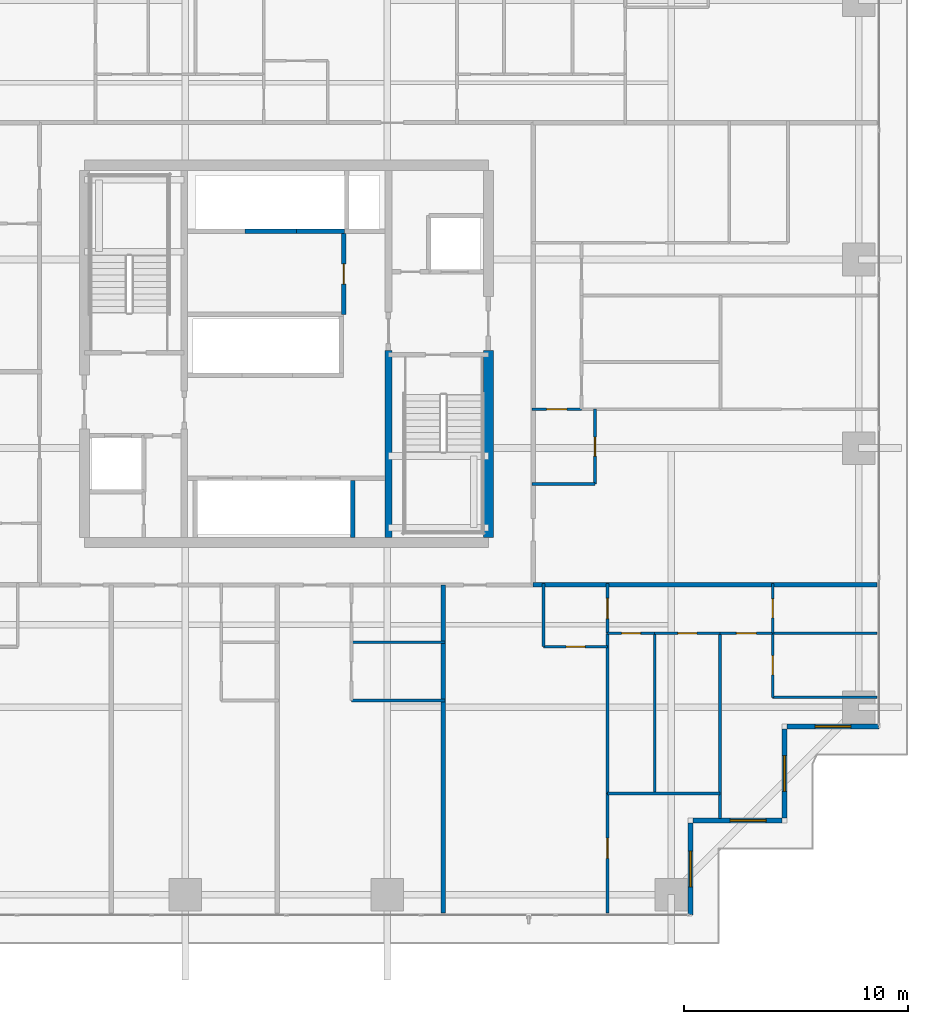
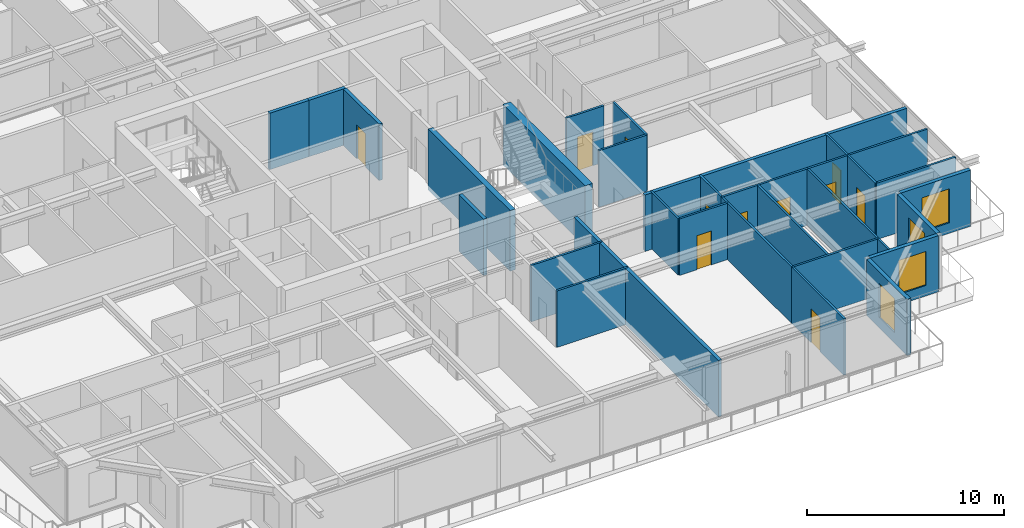
# One storey, part 25 of 36: 32 walls, 11 doors, 4 windows, 15 openings.
"""IFC4 building model written with IfcOpenShell, lengths in metres."""

from ifc_helpers import new_model, si_unit, direction, frame, frame_2d, origin, place, context, subcontext, project, spatial, rectangle, extrude, source, transform, mapped, material, layer, layer_set, type_object, element, fill, save


model = new_model("IFC4")

# Units and contexts
model_context = context("Model", 3, precision=1e-05, world=origin(), true_north=direction((0.0, 1.0)))
body_context = subcontext(model_context, "Body", "Model", "MODEL_VIEW")
ifc_project = project(units=[si_unit("LENGTHUNIT", "METRE"), si_unit("AREAUNIT", "SQUARE_METRE"), si_unit("VOLUMEUNIT", "CUBIC_METRE"), si_unit("PLANEANGLEUNIT", "RADIAN"), si_unit("MASSUNIT", "GRAM", prefix="KILO")], contexts=[model_context])

# Site, building, storey
site_placement = place(None, origin())
site = spatial("IfcSite", under=ifc_project, at=site_placement, CompositionType="ELEMENT")
building_placement = place(site_placement, origin())
building = spatial("IfcBuilding", under=site, at=building_placement, Name="Serunith Strait Residences", CompositionType="ELEMENT")
storey_placement = place(building_placement, frame((0.0, 0.0, 86.699951171875)))
storey = spatial("IfcBuildingStorey", under=building, at=storey_placement, Name="L21", CompositionType="ELEMENT", Elevation=86.699951171875)

# Wall, opening, window
ifc_material_1 = material(Name="Pale-Champagne Aluminium Insulated Panel", Category="aluminium")
ifc_layer_1 = layer(ifc_material_1, 0.219970703125, Name="Pale-Champagne Aluminium Insulated Panel")
ifc_layer_set_1 = layer_set([ifc_layer_1], Name="Pale-Champagne Aluminium Insulated Panel")
wall_type_1 = type_object("IfcWallType", Name="EW-ALUM-220", PredefinedType="ELEMENTEDWALL", material=ifc_layer_set_1)
wall_1_placement = place(storey_placement, frame((50.39990234375, 0.199951171875, 0.0), z_axis=(0.0, 0.0, 1.0), x_axis=(0.0, 1.0, 0.0)))
wall_1 = element("IfcWall", 1, at=wall_1_placement, inside=storey, type_object=wall_type_1, Name="L21 Girih Serrated Corner Wall 02", PredefinedType="ELEMENTEDWALL", context=body_context, shape_type="SweptSolid", body=[
    extrude(rectangle(XDim=4.090087890625, YDim=0.219970703125, at=frame_2d((2.044921875, 0.0))), origin(), (0.0, 0.0, 1.0), 3.47509765625),
])
opening_1_placement = place(wall_1_placement, frame((1.2451171875, 0.0, 0.64990234375)))
opening_1 = element("IfcOpeningElement", 2, at=opening_1_placement, cuts=wall_1, Name="Opening W-02", PredefinedType="OPENING", context=body_context, shape_type="SweptSolid", body=[
    extrude(rectangle(XDim=1.60009765625, YDim=2.10009765625, at=frame_2d((0.800048828125, 1.050048828125))), frame((0.0, 0.1201171875, 0.0), z_axis=(0.0, -1.0, 0.0), x_axis=(1.0, 0.0, 0.0)), (0.0, 0.0, 1.0), 0.239990234375),
])
ifc_material_2 = material(Name="Ceramic-Fritted Operable Aluminium Window Glass", Category="aluminium")
window_type = type_object("IfcWindowType", Name="WIN-C2", PartitioningType="DOUBLE_PANEL_VERTICAL", PredefinedType="WINDOW", material=ifc_material_2)
shared_shape_1 = source(origin(), body_context, "Body", "SweptSolid", [
    extrude(rectangle(XDim=1.60009765625, YDim=2.10009765625, at=frame_2d((0.800048828125, 1.050048828125))), frame((0.0, 0.030029296875, 0.0), z_axis=(0.0, -1.0, 0.0), x_axis=(1.0, 0.0, 0.0)), (0.0, 0.0, 1.0), 0.06005859375),
])
window_1_placement = place(opening_1_placement, origin())
window_1 = element("IfcWindow", 3, at=window_1_placement, inside=storey, type_object=window_type, Name="L21 Corner Operable Fritted Window 02", OverallHeight=2.10009765625, OverallWidth=1.60009765625, PartitioningType="SINGLE_PANEL", PredefinedType="WINDOW", context=body_context, shape_type="MappedRepresentation", body=[
    mapped(shared_shape_1, transform((0.0, 0.0, 0.0), scale=1.0)),
])
fill(opening_1, window_1)

wall_2_placement = place(storey_placement, frame((50.510009765625, 4.39990234375, 0.0), z_axis=(0.0, 0.0, 1.0), x_axis=(1.0, 0.0, 0.0)))
wall_2 = element("IfcWall", 4, at=wall_2_placement, inside=storey, type_object=wall_type_1, Name="L21 Girih Serrated Corner Wall 03", PredefinedType="ELEMENTEDWALL", context=body_context, shape_type="SweptSolid", body=[
    extrude(rectangle(XDim=3.97998046875, YDim=0.219970703125, at=frame_2d((1.989990234375, 0.0))), origin(), (0.0, 0.0, 1.0), 3.47509765625),
])
opening_2_placement = place(wall_2_placement, frame((1.666015625, 0.0, 0.64990234375)))
opening_2 = element("IfcOpeningElement", 5, at=opening_2_placement, cuts=wall_2, Name="Opening W-02", PredefinedType="OPENING", context=body_context, shape_type="SweptSolid", body=[
    extrude(rectangle(XDim=1.60009765625, YDim=2.10009765625, at=frame_2d((0.800048828125, 1.050048828125))), frame((0.0, 0.1201171875, 0.0), z_axis=(0.0, -1.0, 0.0), x_axis=(1.0, 0.0, 0.0)), (0.0, 0.0, 1.0), 0.239990234375),
])
window_2_placement = place(opening_2_placement, origin())
window_2 = element("IfcWindow", 6, at=window_2_placement, inside=storey, type_object=window_type, Name="L21 Corner Operable Fritted Window 03", OverallHeight=2.10009765625, OverallWidth=1.60009765625, PartitioningType="SINGLE_PANEL", PredefinedType="WINDOW", context=body_context, shape_type="MappedRepresentation", body=[
    mapped(shared_shape_1, transform((0.0, 0.0, 0.0), scale=1.0)),
])
fill(opening_2, window_2)

wall_3_placement = place(storey_placement, frame((54.60009765625, 4.510009765625, 0.0), z_axis=(0.0, 0.0, 1.0), x_axis=(0.0, 1.0, 0.0)))
wall_3 = element("IfcWall", 7, at=wall_3_placement, inside=storey, type_object=wall_type_1, Name="L21 Girih Serrated Corner Wall 04", PredefinedType="ELEMENTEDWALL", context=body_context, shape_type="SweptSolid", body=[
    extrude(rectangle(XDim=3.97998046875, YDim=0.219970703125, at=frame_2d((1.989990234375, 0.0))), origin(), (0.0, 0.0, 1.0), 3.47509765625),
])
opening_3_placement = place(wall_3_placement, frame((1.18994140625, 0.0, 0.64990234375)))
opening_3 = element("IfcOpeningElement", 8, at=opening_3_placement, cuts=wall_3, Name="Opening W-02", PredefinedType="OPENING", context=body_context, shape_type="SweptSolid", body=[
    extrude(rectangle(XDim=1.60009765625, YDim=2.10009765625, at=frame_2d((0.800048828125, 1.050048828125))), frame((0.0, 0.1201171875, 0.0), z_axis=(0.0, -1.0, 0.0), x_axis=(1.0, 0.0, 0.0)), (0.0, 0.0, 1.0), 0.239990234375),
])
window_3_placement = place(opening_3_placement, origin())
window_3 = element("IfcWindow", 9, at=window_3_placement, inside=storey, type_object=window_type, Name="L21 Corner Operable Fritted Window 04", OverallHeight=2.10009765625, OverallWidth=1.60009765625, PartitioningType="SINGLE_PANEL", PredefinedType="WINDOW", context=body_context, shape_type="MappedRepresentation", body=[
    mapped(shared_shape_1, transform((0.0, 0.0, 0.0), scale=1.0)),
])
fill(opening_3, window_3)

wall_4_placement = place(storey_placement, frame((54.7099609375, 8.60009765625, 0.0), z_axis=(0.0, 0.0, 1.0), x_axis=(1.0, 0.0, 0.0)))
wall_4 = element("IfcWall", 10, at=wall_4_placement, inside=storey, type_object=wall_type_1, Name="L21 Girih Serrated Corner Wall 05", PredefinedType="ELEMENTEDWALL", context=body_context, shape_type="SweptSolid", body=[
    extrude(rectangle(XDim=4.090087890625, YDim=0.219970703125, at=frame_2d((2.044921875, 0.0))), origin(), (0.0, 0.0, 1.0), 3.47509765625),
])
opening_4_placement = place(wall_4_placement, frame((1.2451171875, 0.0, 0.64990234375)))
opening_4 = element("IfcOpeningElement", 11, at=opening_4_placement, cuts=wall_4, Name="Opening W-02", PredefinedType="OPENING", context=body_context, shape_type="SweptSolid", body=[
    extrude(rectangle(XDim=1.60009765625, YDim=2.10009765625, at=frame_2d((0.800048828125, 1.050048828125))), frame((0.0, 0.1201171875, 0.0), z_axis=(0.0, -1.0, 0.0), x_axis=(1.0, 0.0, 0.0)), (0.0, 0.0, 1.0), 0.239990234375),
])
window_4_placement = place(opening_4_placement, origin())
window_4 = element("IfcWindow", 12, at=window_4_placement, inside=storey, type_object=window_type, Name="L21 Corner Operable Fritted Window 05", OverallHeight=2.10009765625, OverallWidth=1.60009765625, PartitioningType="SINGLE_PANEL", PredefinedType="WINDOW", context=body_context, shape_type="MappedRepresentation", body=[
    mapped(shared_shape_1, transform((0.0, 0.0, 0.0), scale=1.0)),
])
fill(opening_4, window_4)

# Walls
ifc_material_3 = material(Name="Lightweight steel-stud gypsum partition", Category="steel")
ifc_layer_2 = layer(ifc_material_3, 0.1201171875, Name="Lightweight steel-stud gypsum partition")
ifc_layer_set_2 = layer_set([ifc_layer_2], Name="Lightweight steel-stud gypsum partition")
wall_type_2 = type_object("IfcWallType", Name="IW-PART-120", PredefinedType="PARTITIONING", material=ifc_layer_set_2)
for number, where, z_axis, x_axis, name in (
    (13, (35.300048828125, 12.35009765625, 0.0), (0.0, 0.0, 1.0), (1.0, 0.0, 0.0), "L21 Partition Wall 047"),
    (14, (35.300048828125, 9.75, 0.0), (0.0, 0.0, 1.0), (1.0, 0.0, 0.0), "L21 Partition Wall 048"),
):
    element("IfcWall", number, at=place(storey_placement, frame(where, z_axis=z_axis, x_axis=x_axis)), inside=storey, type_object=wall_type_2, Name=name, PredefinedType="PARTITIONING", context=body_context, shape_type="SweptSolid", body=[
        extrude(rectangle(XDim=4.159912109375, YDim=0.1201171875, at=frame_2d((2.080078125, 0.0))), origin(), (0.0, 0.0, 1.0), 3.489990234375),
    ])

# Wall, opening, door
wall_5_placement = place(storey_placement, frame((43.860107421875, 12.14990234375, 0.0), z_axis=(0.0, 0.0, 1.0), x_axis=(1.0, 0.0, 0.0)))
wall_5 = element("IfcWall", 15, at=wall_5_placement, inside=storey, type_object=wall_type_2, Name="L21 Partition Wall 049", PredefinedType="PARTITIONING", context=body_context, shape_type="SweptSolid", body=[
    extrude(rectangle(XDim=2.849853515625, YDim=0.1201171875, at=frame_2d((1.4248046875, 0.0))), origin(), (0.0, 0.0, 1.0), 3.489990234375),
])
opening_5_placement = place(wall_5_placement, frame((1.0, 0.0, 0.0)))
opening_5 = element("IfcOpeningElement", 16, at=opening_5_placement, cuts=wall_5, Name="Opening D-RM850", PredefinedType="OPENING", context=body_context, shape_type="SweptSolid", body=[
    extrude(rectangle(XDim=0.85009765625, YDim=2.10009765625, at=frame_2d((0.425048828125, 1.050048828125))), frame((0.0, 0.070068359375, 0.0), z_axis=(0.0, -1.0, 0.0), x_axis=(1.0, 0.0, 0.0)), (0.0, 0.0, 1.0), 0.14013671875),
])
ifc_material_4 = material(Name="Engineered timber flush study and kitchen door", Category="wood")
door_type_1 = type_object("IfcDoorType", Name="ID-ROOM-850", OperationType="NOTDEFINED", PredefinedType="DOOR", material=ifc_material_4)
shared_shape_2 = source(origin(), body_context, "Body", "SweptSolid", [
    extrude(rectangle(XDim=0.85009765625, YDim=2.10009765625, at=frame_2d((0.425048828125, 1.050048828125))), frame((0.0, 0.02490234375, 0.0), z_axis=(0.0, -1.0, 0.0), x_axis=(1.0, 0.0, 0.0)), (0.0, 0.0, 1.0), 0.050048828125),
])
door_1_placement = place(opening_5_placement, origin())
door_1 = element("IfcDoor", 17, at=door_1_placement, inside=storey, type_object=door_type_1, Name="L21 Kitchen 2104 Door", OperationType="SINGLE_SWING_LEFT", OverallHeight=2.10009765625, OverallWidth=0.85009765625, PredefinedType="DOOR", context=body_context, shape_type="MappedRepresentation", body=[
    mapped(shared_shape_2, transform((0.0, 0.0, 0.0), scale=1.0)),
])
fill(opening_5, door_1)

# Wall
wall_6_placement = place(storey_placement, frame((43.860107421875, 12.14990234375, 0.0), z_axis=(0.0, 0.0, 1.0), x_axis=(0.0, 1.0, 0.0)))
element("IfcWall", 18, at=wall_6_placement, inside=storey, type_object=wall_type_2, Name="L21 Partition Wall 050", PredefinedType="PARTITIONING", context=body_context, shape_type="SweptSolid", body=[
    extrude(rectangle(XDim=2.81005859375, YDim=0.1201171875, at=frame_2d((1.405029296875, 0.0))), origin(), (0.0, 0.0, 1.0), 3.489990234375),
])

# Wall, opening, door
wall_7_placement = place(storey_placement, frame((46.7099609375, 12.75, 0.0), z_axis=(0.0, 0.0, 1.0), x_axis=(0.0, 1.0, 0.0)))
wall_7 = element("IfcWall", 19, at=wall_7_placement, inside=storey, type_object=wall_type_2, Name="L21 Partition Wall 051", PredefinedType="PARTITIONING", context=body_context, shape_type="SweptSolid", body=[
    extrude(rectangle(XDim=2.2099609375, YDim=0.1201171875, at=frame_2d((1.10498046875, 0.0))), origin(), (0.0, 0.0, 1.0), 3.489990234375),
])
opening_6_placement = place(wall_7_placement, frame((0.655029296875, 0.0, 0.0)))
opening_6 = element("IfcOpeningElement", 20, at=opening_6_placement, cuts=wall_7, Name="Opening D-RM900", PredefinedType="OPENING", context=body_context, shape_type="SweptSolid", body=[
    extrude(rectangle(XDim=0.89990234375, YDim=2.10009765625, at=frame_2d((0.449951171875, 1.050048828125))), frame((0.0, 0.070068359375, 0.0), z_axis=(0.0, -1.0, 0.0), x_axis=(1.0, 0.0, 0.0)), (0.0, 0.0, 1.0), 0.14013671875),
])
ifc_material_5 = material(Name="Engineered timber flush bedroom door", Category="wood")
door_type_2 = type_object("IfcDoorType", Name="ID-ROOM-900", OperationType="NOTDEFINED", PredefinedType="DOOR", material=ifc_material_5)
shared_shape_3 = source(origin(), body_context, "Body", "SweptSolid", [
    extrude(rectangle(XDim=0.89990234375, YDim=2.10009765625, at=frame_2d((0.449951171875, 1.050048828125))), frame((0.0, 0.02490234375, 0.0), z_axis=(0.0, -1.0, 0.0), x_axis=(1.0, 0.0, 0.0)), (0.0, 0.0, 1.0), 0.050048828125),
])
door_2_placement = place(opening_6_placement, origin())
door_2 = element("IfcDoor", 21, at=door_2_placement, inside=storey, type_object=door_type_2, Name="L21 Hall E 2104 Door", OperationType="SINGLE_SWING_RIGHT", OverallHeight=2.10009765625, OverallWidth=0.89990234375, PredefinedType="DOOR", context=body_context, shape_type="MappedRepresentation", body=[
    mapped(shared_shape_3, transform((0.0, 0.0, 0.0), scale=1.0)),
])
fill(opening_6, door_2)

wall_8_placement = place(storey_placement, frame((46.7099609375, 0.294921875, 0.0), z_axis=(0.0, 0.0, 1.0), x_axis=(0.0, 1.0, 0.0)))
wall_8 = element("IfcWall", 22, at=wall_8_placement, inside=storey, type_object=wall_type_2, Name="L21 Partition Wall 052", PredefinedType="PARTITIONING", context=body_context, shape_type="SweptSolid", body=[
    extrude(rectangle(XDim=5.31005859375, YDim=0.1201171875, at=frame_2d((2.655029296875, 0.0))), origin(), (0.0, 0.0, 1.0), 3.489990234375),
])
opening_7_placement = place(wall_8_placement, frame((2.426025390625, 0.0, 0.0)))
opening_7 = element("IfcOpeningElement", 23, at=opening_7_placement, cuts=wall_8, Name="Opening D-RM900", PredefinedType="OPENING", context=body_context, shape_type="SweptSolid", body=[
    extrude(rectangle(XDim=0.89990234375, YDim=2.10009765625, at=frame_2d((0.449951171875, 1.050048828125))), frame((0.0, 0.070068359375, 0.0), z_axis=(0.0, -1.0, 0.0), x_axis=(1.0, 0.0, 0.0)), (0.0, 0.0, 1.0), 0.14013671875),
])
door_3_placement = place(opening_7_placement, origin())
door_3 = element("IfcDoor", 24, at=door_3_placement, inside=storey, type_object=door_type_2, Name="L21 Study 1 2104 Door", OperationType="SINGLE_SWING_LEFT", OverallHeight=2.10009765625, OverallWidth=0.89990234375, PredefinedType="DOOR", context=body_context, shape_type="MappedRepresentation", body=[
    mapped(shared_shape_3, transform((0.0, 0.0, 0.0), scale=1.0)),
])
fill(opening_7, door_3)

# Walls
wall_9_placement = place(storey_placement, frame((46.7099609375, 5.60693359375, 0.0), z_axis=(0.0, 0.0, 1.0), x_axis=(0.0, 1.0, 0.0)))
element("IfcWall", 25, at=wall_9_placement, inside=storey, type_object=wall_type_2, Name="L21 Partition Wall 053", PredefinedType="PARTITIONING", context=body_context, shape_type="SweptSolid", body=[
    extrude(rectangle(XDim=7.14111328125, YDim=0.1201171875, at=frame_2d((3.570556640625, 0.0))), origin(), (0.0, 0.0, 1.0), 3.489990234375),
])
wall_10_placement = place(storey_placement, frame((46.7099609375, 5.60498046875, 0.0), z_axis=(0.0, 0.0, 1.0), x_axis=(1.0, 0.0, 0.0)))
element("IfcWall", 26, at=wall_10_placement, inside=storey, type_object=wall_type_2, Name="L21 Partition Wall 054", PredefinedType="PARTITIONING", context=body_context, shape_type="SweptSolid", body=[
    extrude(rectangle(XDim=5.010009765625, YDim=0.1201171875, at=frame_2d((2.5048828125, 0.0))), origin(), (0.0, 0.0, 1.0), 3.489990234375),
])
wall_11_placement = place(storey_placement, frame((51.719970703125, 4.4951171875, 0.0), z_axis=(0.0, 0.0, 1.0), x_axis=(0.0, 1.0, 0.0)))
element("IfcWall", 27, at=wall_11_placement, inside=storey, type_object=wall_type_2, Name="L21 Partition Wall 055", PredefinedType="PARTITIONING", context=body_context, shape_type="SweptSolid", body=[
    extrude(rectangle(XDim=8.2548828125, YDim=0.1201171875, at=frame_2d((4.12744140625, 0.0))), origin(), (0.0, 0.0, 1.0), 3.489990234375),
])
wall_12_placement = place(storey_placement, frame((48.81005859375, 5.60498046875, 0.0), z_axis=(0.0, 0.0, 1.0), x_axis=(0.0, 1.0, 0.0)))
element("IfcWall", 28, at=wall_12_placement, inside=storey, type_object=wall_type_2, Name="L21 Partition Wall 056", PredefinedType="PARTITIONING", context=body_context, shape_type="SweptSolid", body=[
    extrude(rectangle(XDim=7.14501953125, YDim=0.1201171875, at=frame_2d((3.572509765625, 0.0))), origin(), (0.0, 0.0, 1.0), 3.489990234375),
])

# Wall, opening, door
wall_13_placement = place(storey_placement, frame((46.7099609375, 12.75, 0.0), z_axis=(0.0, 0.0, 1.0), x_axis=(1.0, 0.0, 0.0)))
wall_13 = element("IfcWall", 29, at=wall_13_placement, inside=storey, type_object=wall_type_2, Name="L21 Partition Wall 057", PredefinedType="PARTITIONING", context=body_context, shape_type="SweptSolid", body=[
    extrude(rectangle(XDim=2.10009765625, YDim=0.1201171875, at=frame_2d((1.050048828125, 0.0))), origin(), (0.0, 0.0, 1.0), 3.489990234375),
])
opening_8_placement = place(wall_13_placement, frame((0.625, 0.0, 0.0)))
opening_8 = element("IfcOpeningElement", 30, at=opening_8_placement, cuts=wall_13, Name="Opening D-BTH850", PredefinedType="OPENING", context=body_context, shape_type="SweptSolid", body=[
    extrude(rectangle(XDim=0.85009765625, YDim=2.10009765625, at=frame_2d((0.425048828125, 1.050048828125))), frame((0.0, 0.070068359375, 0.0), z_axis=(0.0, -1.0, 0.0), x_axis=(1.0, 0.0, 0.0)), (0.0, 0.0, 1.0), 0.14013671875),
])
ifc_material_6 = material(Name="Moisture-resistant timber bathroom door", Category="wood")
door_type_3 = type_object("IfcDoorType", Name="ID-BATH-850", OperationType="NOTDEFINED", PredefinedType="DOOR", material=ifc_material_6)
door_4_placement = place(opening_8_placement, origin())
door_4 = element("IfcDoor", 31, at=door_4_placement, inside=storey, type_object=door_type_3, Name="L21 Bathroom 2104 Door", OperationType="SINGLE_SWING_RIGHT", OverallHeight=2.10009765625, OverallWidth=0.85009765625, PredefinedType="DOOR", context=body_context, shape_type="MappedRepresentation", body=[
    mapped(shared_shape_2, transform((0.0, 0.0, 0.0), scale=1.0)),
])
fill(opening_8, door_4)

wall_14_placement = place(storey_placement, frame((48.81201171875, 12.75, 0.0), z_axis=(0.0, 0.0, 1.0), x_axis=(1.0, 0.0, 0.0)))
wall_14 = element("IfcWall", 32, at=wall_14_placement, inside=storey, type_object=wall_type_2, Name="L21 Partition Wall 058", PredefinedType="PARTITIONING", context=body_context, shape_type="SweptSolid", body=[
    extrude(rectangle(XDim=2.907958984375, YDim=0.1201171875, at=frame_2d((1.4541015625, 0.0))), origin(), (0.0, 0.0, 1.0), 3.489990234375),
])
opening_9_placement = place(wall_14_placement, frame((1.029052734375, 0.0, 0.0)))
opening_9 = element("IfcOpeningElement", 33, at=opening_9_placement, cuts=wall_14, Name="Opening D-RM850", PredefinedType="OPENING", context=body_context, shape_type="SweptSolid", body=[
    extrude(rectangle(XDim=0.85009765625, YDim=2.10009765625, at=frame_2d((0.425048828125, 1.050048828125))), frame((0.0, 0.070068359375, 0.0), z_axis=(0.0, -1.0, 0.0), x_axis=(1.0, 0.0, 0.0)), (0.0, 0.0, 1.0), 0.14013671875),
])
door_5_placement = place(opening_9_placement, origin())
door_5 = element("IfcDoor", 34, at=door_5_placement, inside=storey, type_object=door_type_1, Name="L21 Study 2104 Door", OperationType="SINGLE_SWING_LEFT", OverallHeight=2.10009765625, OverallWidth=0.85009765625, PredefinedType="DOOR", context=body_context, shape_type="MappedRepresentation", body=[
    mapped(shared_shape_2, transform((0.0, 0.0, 0.0), scale=1.0)),
])
fill(opening_9, door_5)

wall_15_placement = place(storey_placement, frame((51.721923828125, 12.75, 0.0), z_axis=(0.0, 0.0, 1.0), x_axis=(1.0, 0.0, 0.0)))
wall_15 = element("IfcWall", 35, at=wall_15_placement, inside=storey, type_object=wall_type_2, Name="L21 Partition Wall 059", PredefinedType="PARTITIONING", context=body_context, shape_type="SweptSolid", body=[
    extrude(rectangle(XDim=2.34814453125, YDim=0.1201171875, at=frame_2d((1.174072265625, 0.0))), origin(), (0.0, 0.0, 1.0), 3.489990234375),
])
opening_10_placement = place(wall_15_placement, frame((0.72412109375, 0.0, 0.0)))
opening_10 = element("IfcOpeningElement", 36, at=opening_10_placement, cuts=wall_15, Name="Opening D-RM900", PredefinedType="OPENING", context=body_context, shape_type="SweptSolid", body=[
    extrude(rectangle(XDim=0.89990234375, YDim=2.10009765625, at=frame_2d((0.449951171875, 1.050048828125))), frame((0.0, 0.070068359375, 0.0), z_axis=(0.0, -1.0, 0.0), x_axis=(1.0, 0.0, 0.0)), (0.0, 0.0, 1.0), 0.14013671875),
])
door_6_placement = place(opening_10_placement, origin())
door_6 = element("IfcDoor", 37, at=door_6_placement, inside=storey, type_object=door_type_2, Name="L21 Master Bedroom E 2104 Door", OperationType="SINGLE_SWING_RIGHT", OverallHeight=2.10009765625, OverallWidth=0.89990234375, PredefinedType="DOOR", context=body_context, shape_type="MappedRepresentation", body=[
    mapped(shared_shape_3, transform((0.0, 0.0, 0.0), scale=1.0)),
])
fill(opening_10, door_6)

# Walls
wall_16_placement = place(storey_placement, frame((54.070068359375, 9.89404296875, 0.0), z_axis=(0.0, 0.0, 1.0), x_axis=(1.0, 0.0, 0.0)))
element("IfcWall", 38, at=wall_16_placement, inside=storey, type_object=wall_type_2, Name="L21 Partition Wall 060", PredefinedType="PARTITIONING", context=body_context, shape_type="SweptSolid", body=[
    extrude(rectangle(XDim=4.635009765625, YDim=0.1201171875, at=frame_2d((2.3173828125, 0.0))), origin(), (0.0, 0.0, 1.0), 3.489990234375),
])
wall_17_placement = place(storey_placement, frame((54.072021484375, 12.75, 0.0), z_axis=(0.0, 0.0, 1.0), x_axis=(1.0, 0.0, 0.0)))
element("IfcWall", 39, at=wall_17_placement, inside=storey, type_object=wall_type_2, Name="L21 Partition Wall 061", PredefinedType="PARTITIONING", context=body_context, shape_type="SweptSolid", body=[
    extrude(rectangle(XDim=4.633056640625, YDim=0.1201171875, at=frame_2d((2.31640625, 0.0))), origin(), (0.0, 0.0, 1.0), 3.489990234375),
])

# Wall, opening, door
wall_18_placement = place(storey_placement, frame((54.070068359375, 9.89404296875, 0.0), z_axis=(0.0, 0.0, 1.0), x_axis=(0.0, 1.0, 0.0)))
wall_18 = element("IfcWall", 40, at=wall_18_placement, inside=storey, type_object=wall_type_2, Name="L21 Partition Wall 062", PredefinedType="PARTITIONING", context=body_context, shape_type="SweptSolid", body=[
    extrude(rectangle(XDim=2.85595703125, YDim=0.1201171875, at=frame_2d((1.427978515625, 0.0))), origin(), (0.0, 0.0, 1.0), 3.489990234375),
])
opening_11_placement = place(wall_18_placement, frame((1.0029296875, 0.0, 0.0)))
opening_11 = element("IfcOpeningElement", 41, at=opening_11_placement, cuts=wall_18, Name="Opening D-BTH850", PredefinedType="OPENING", context=body_context, shape_type="SweptSolid", body=[
    extrude(rectangle(XDim=0.85009765625, YDim=2.10009765625, at=frame_2d((0.425048828125, 1.050048828125))), frame((0.0, 0.070068359375, 0.0), z_axis=(0.0, -1.0, 0.0), x_axis=(1.0, 0.0, 0.0)), (0.0, 0.0, 1.0), 0.14013671875),
])
door_7_placement = place(opening_11_placement, origin())
door_7 = element("IfcDoor", 42, at=door_7_placement, inside=storey, type_object=door_type_3, Name="L21 En-suite Bathroom E 2104 Door", OperationType="SINGLE_SWING_LEFT", OverallHeight=2.10009765625, OverallWidth=0.85009765625, PredefinedType="DOOR", context=body_context, shape_type="MappedRepresentation", body=[
    mapped(shared_shape_2, transform((0.0, 0.0, 0.0), scale=1.0)),
])
fill(opening_11, door_7)

wall_19_placement = place(storey_placement, frame((54.070068359375, 12.751953125, 0.0), z_axis=(0.0, 0.0, 1.0), x_axis=(0.0, 1.0, 0.0)))
wall_19 = element("IfcWall", 43, at=wall_19_placement, inside=storey, type_object=wall_type_2, Name="L21 Partition Wall 063", PredefinedType="PARTITIONING", context=body_context, shape_type="SweptSolid", body=[
    extrude(rectangle(XDim=2.2080078125, YDim=0.1201171875, at=frame_2d((1.10400390625, 0.0))), origin(), (0.0, 0.0, 1.0), 3.489990234375),
])
opening_12_placement = place(wall_19_placement, frame((0.678955078125, 0.0, 0.0)))
opening_12 = element("IfcOpeningElement", 44, at=opening_12_placement, cuts=wall_19, Name="Opening D-RM850", PredefinedType="OPENING", context=body_context, shape_type="SweptSolid", body=[
    extrude(rectangle(XDim=0.85009765625, YDim=2.10009765625, at=frame_2d((0.425048828125, 1.050048828125))), frame((0.0, 0.070068359375, 0.0), z_axis=(0.0, -1.0, 0.0), x_axis=(1.0, 0.0, 0.0)), (0.0, 0.0, 1.0), 0.14013671875),
])
door_8_placement = place(opening_12_placement, origin())
door_8 = element("IfcDoor", 45, at=door_8_placement, inside=storey, type_object=door_type_1, Name="L21 Wardrobe E 2104 Door", OperationType="SINGLE_SWING_RIGHT", OverallHeight=2.10009765625, OverallWidth=0.85009765625, PredefinedType="DOOR", context=body_context, shape_type="MappedRepresentation", body=[
    mapped(shared_shape_2, transform((0.0, 0.0, 0.0), scale=1.0)),
])
fill(opening_12, door_8)

wall_20_placement = place(storey_placement, frame((46.14990234375, 19.39990234375, 0.0), z_axis=(0.0, 0.0, 1.0), x_axis=(0.0, 1.0, 0.0)))
wall_20 = element("IfcWall", 46, at=wall_20_placement, inside=storey, type_object=wall_type_2, Name="L21 Partition Wall 107", PredefinedType="PARTITIONING", context=body_context, shape_type="SweptSolid", body=[
    extrude(rectangle(XDim=3.330078125, YDim=0.1201171875, at=frame_2d((1.6650390625, 0.0))), origin(), (0.0, 0.0, 1.0), 3.489990234375),
])
opening_13_placement = place(wall_20_placement, frame((1.239990234375, 0.0, 0.0)))
opening_13 = element("IfcOpeningElement", 47, at=opening_13_placement, cuts=wall_20, Name="Opening D-RM850", PredefinedType="OPENING", context=body_context, shape_type="SweptSolid", body=[
    extrude(rectangle(XDim=0.85009765625, YDim=2.10009765625, at=frame_2d((0.425048828125, 1.050048828125))), frame((0.0, 0.070068359375, 0.0), z_axis=(0.0, -1.0, 0.0), x_axis=(1.0, 0.0, 0.0)), (0.0, 0.0, 1.0), 0.14013671875),
])
door_9_placement = place(opening_13_placement, origin())
door_9 = element("IfcDoor", 48, at=door_9_placement, inside=storey, type_object=door_type_1, Name="L21 Kitchen 2108 Door", OperationType="SINGLE_SWING_RIGHT", OverallHeight=2.10009765625, OverallWidth=0.85009765625, PredefinedType="DOOR", context=body_context, shape_type="MappedRepresentation", body=[
    mapped(shared_shape_2, transform((0.0, 0.0, 0.0), scale=1.0)),
])
fill(opening_13, door_9)

# Wall
wall_21_placement = place(storey_placement, frame((46.14990234375, 19.39990234375, 0.0), z_axis=(0.0, 0.0, 1.0), x_axis=(-1.0, 0.0, 0.0)))
element("IfcWall", 49, at=wall_21_placement, inside=storey, type_object=wall_type_2, Name="L21 Partition Wall 108", PredefinedType="PARTITIONING", context=body_context, shape_type="SweptSolid", body=[
    extrude(rectangle(XDim=2.809814453125, YDim=0.1201171875, at=frame_2d((1.40478515625, 0.0))), origin(), (0.0, 0.0, 1.0), 3.489990234375),
])

# Wall, opening, door
wall_22_placement = place(storey_placement, frame((45.550048828125, 22.72998046875, 0.0), z_axis=(0.0, 0.0, 1.0), x_axis=(-1.0, 0.0, 0.0)))
wall_22 = element("IfcWall", 50, at=wall_22_placement, inside=storey, type_object=wall_type_2, Name="L21 Partition Wall 109", PredefinedType="PARTITIONING", context=body_context, shape_type="SweptSolid", body=[
    extrude(rectangle(XDim=2.2099609375, YDim=0.1201171875, at=frame_2d((1.10498046875, 0.0))), origin(), (0.0, 0.0, 1.0), 3.489990234375),
])
opening_14_placement = place(wall_22_placement, frame((0.655029296875, 0.0, 0.0)))
opening_14 = element("IfcOpeningElement", 51, at=opening_14_placement, cuts=wall_22, Name="Opening D-RM900", PredefinedType="OPENING", context=body_context, shape_type="SweptSolid", body=[
    extrude(rectangle(XDim=0.89990234375, YDim=2.10009765625, at=frame_2d((0.449951171875, 1.050048828125))), frame((0.0, 0.070068359375, 0.0), z_axis=(0.0, -1.0, 0.0), x_axis=(1.0, 0.0, 0.0)), (0.0, 0.0, 1.0), 0.14013671875),
])
door_10_placement = place(opening_14_placement, origin())
door_10 = element("IfcDoor", 52, at=door_10_placement, inside=storey, type_object=door_type_2, Name="L21 Hall E 2108 Door", OperationType="SINGLE_SWING_LEFT", OverallHeight=2.10009765625, OverallWidth=0.89990234375, PredefinedType="DOOR", context=body_context, shape_type="MappedRepresentation", body=[
    mapped(shared_shape_3, transform((0.0, 0.0, 0.0), scale=1.0)),
])
fill(opening_14, door_10)

# Walls
ifc_material_7 = material(Name="Twin-stud acoustic gypsum board partition")
ifc_layer_3 = layer(ifc_material_7, 0.199951171875, Name="Twin-stud acoustic gypsum board partition")
ifc_layer_set_3 = layer_set([ifc_layer_3], Name="Twin-stud acoustic gypsum board partition")
wall_type_3 = type_object("IfcWallType", Name="IW-PARTY-200", PredefinedType="PARTITIONING", material=ifc_layer_set_3)
wall_23_placement = place(storey_placement, frame((39.39990234375, 0.281982421875, 0.0), z_axis=(0.0, 0.0, 1.0), x_axis=(0.0, 1.0, 0.0)))
element("IfcWall", 53, at=wall_23_placement, inside=storey, type_object=wall_type_3, Name="L21 Partition Wall 016", PredefinedType="PARTITIONING", context=body_context, shape_type="SweptSolid", body=[
    extrude(rectangle(XDim=14.617919921875, YDim=0.199951171875, at=frame_2d((7.30908203125, 0.0))), origin(), (0.0, 0.0, 1.0), 3.489990234375),
])
wall_24_placement = place(storey_placement, frame((43.39990234375, 14.89990234375, 0.0), z_axis=(0.0, 0.0, 1.0), x_axis=(1.0, 0.0, 0.0)))
element("IfcWall", 54, at=wall_24_placement, inside=storey, type_object=wall_type_3, Name="L21 Partition Wall 019", PredefinedType="PARTITIONING", context=body_context, shape_type="SweptSolid", body=[
    extrude(rectangle(XDim=15.318115234375, YDim=0.199951171875, at=frame_2d((7.6591796875, 0.0))), origin(), (0.0, 0.0, 1.0), 3.489990234375),
])
ifc_material_8 = material(Name="Autoclaved aerated concrete blockwork", Category="masonry")
ifc_layer_4 = layer(ifc_material_8, 0.199951171875, Name="Autoclaved aerated concrete blockwork")
ifc_layer_set_4 = layer_set([ifc_layer_4], Name="Autoclaved aerated concrete blockwork")
wall_type_4 = type_object("IfcWallType", Name="IW-SHAFT-200", PredefinedType="STANDARD", material=ifc_layer_set_4)
wall_25_placement = place(storey_placement, frame((35.35009765625, 17.02490234375, 0.0), z_axis=(0.0, 0.0, 1.0), x_axis=(0.0, 1.0, 0.0)))
element("IfcWall", 55, at=wall_25_placement, inside=storey, type_object=wall_type_4, Name="L21 PL-3 East Shaft Wall", PredefinedType="STANDARD", context=body_context, shape_type="SweptSolid", body=[
    extrude(rectangle(XDim=2.525146484375, YDim=0.199951171875, at=frame_2d((1.2626953125, 0.0))), origin(), (0.0, 0.0, 1.0), 3.489990234375),
])
wall_26_placement = place(storey_placement, frame((30.550048828125, 30.64990234375, 0.0), z_axis=(0.0, 0.0, 1.0), x_axis=(1.0, 0.0, 0.0)))
element("IfcWall", 56, at=wall_26_placement, inside=storey, type_object=wall_type_4, Name="L21 PL-8 South Shaft Wall", PredefinedType="STANDARD", context=body_context, shape_type="SweptSolid", body=[
    extrude(rectangle(XDim=2.300048828125, YDim=0.199951171875, at=frame_2d((1.14990234375, 0.0))), origin(), (0.0, 0.0, 1.0), 3.489990234375),
])
wall_27_placement = place(storey_placement, frame((32.85009765625, 30.64990234375, 0.0), z_axis=(0.0, 0.0, 1.0), x_axis=(1.0, 0.0, 0.0)))
element("IfcWall", 57, at=wall_27_placement, inside=storey, type_object=wall_type_4, Name="L21 PL-9 South Shaft Wall", PredefinedType="STANDARD", context=body_context, shape_type="SweptSolid", body=[
    extrude(rectangle(XDim=2.14990234375, YDim=0.199951171875, at=frame_2d((1.074951171875, 0.0))), origin(), (0.0, 0.0, 1.0), 3.489990234375),
])

# Wall, opening, door
wall_28_placement = place(storey_placement, frame((34.949951171875, 26.949951171875, 0.0), z_axis=(0.0, 0.0, 1.0), x_axis=(0.0, 1.0, 0.0)))
wall_28 = element("IfcWall", 58, at=wall_28_placement, inside=storey, type_object=wall_type_4, Name="L21 Partition Wall 013", PredefinedType="STANDARD", context=body_context, shape_type="SweptSolid", body=[
    extrude(rectangle(XDim=3.60009765625, YDim=0.199951171875, at=frame_2d((1.800048828125, 0.0))), origin(), (0.0, 0.0, 1.0), 3.489990234375),
])
opening_15_placement = place(wall_28_placement, frame((1.35009765625, 0.0, 0.0)))
opening_15 = element("IfcOpeningElement", 59, at=opening_15_placement, cuts=wall_28, Name="Opening FD-900", PredefinedType="OPENING", context=body_context, shape_type="SweptSolid", body=[
    extrude(rectangle(XDim=0.89990234375, YDim=2.10009765625, at=frame_2d((0.449951171875, 1.050048828125))), frame((0.0, 0.10986328125, 0.0), z_axis=(0.0, -1.0, 0.0), x_axis=(1.0, 0.0, 0.0)), (0.0, 0.0, 1.0), 0.219970703125),
])
ifc_material_9 = material(Name="Powder-coated steel riser door", Category="steel")
door_type_4 = type_object("IfcDoorType", Name="FD-BOH-900", OperationType="NOTDEFINED", PredefinedType="DOOR", material=ifc_material_9)
door_11_placement = place(opening_15_placement, origin())
door_11 = element("IfcDoor", 60, at=door_11_placement, inside=storey, type_object=door_type_4, Name="L21 Core Switchroom Door", OperationType="SINGLE_SWING_RIGHT", OverallHeight=2.10009765625, OverallWidth=0.89990234375, PredefinedType="DOOR", context=body_context, shape_type="MappedRepresentation", body=[
    mapped(shared_shape_3, transform((0.0, 0.0, 0.0), scale=1.0)),
])
fill(opening_15, door_11)

# Walls
ifc_material_10 = material(Name="Concrete C80/95", Category="concrete")
ifc_layer_5 = layer(ifc_material_10, 0.300048828125, Name="Concrete C80/95")
ifc_layer_set_5 = layer_set([ifc_layer_5], Name="Concrete C80/95")
wall_type_5 = type_object("IfcWallType", Name="SW-300-C80", PredefinedType="SHEAR", material=ifc_layer_set_5)
wall_29_placement = place(storey_placement, frame((36.949951171875, 17.02490234375, -0.260009765625), z_axis=(0.0, 0.0, 1.0), x_axis=(0.0, 1.0, 0.0)))
element("IfcWall", 61, at=wall_29_placement, inside=storey, type_object=wall_type_5, Name="L21 Core Internal East Web South Pier", PredefinedType="SHEAR", context=body_context, shape_type="SweptSolid", body=[
    extrude(rectangle(XDim=8.3251953125, YDim=0.300048828125, at=frame_2d((4.16259765625, 0.0))), origin(), (0.0, 0.0, 1.0), 3.748046875),
])
ifc_layer_6 = layer(ifc_material_10, 0.449951171875, Name="Concrete C80/95")
ifc_layer_set_6 = layer_set([ifc_layer_6], Name="Concrete C80/95")
wall_type_6 = type_object("IfcWallType", Name="SW-450-C80", PredefinedType="SHEAR", material=ifc_layer_set_6)
wall_30_placement = place(storey_placement, frame((41.39990234375, 17.02490234375, -0.260009765625), z_axis=(0.0, 0.0, 1.0), x_axis=(0.0, 1.0, 0.0)))
element("IfcWall", 62, at=wall_30_placement, inside=storey, type_object=wall_type_6, Name="L21 Core East Shear Wall South Pier", PredefinedType="SHEAR", context=body_context, shape_type="SweptSolid", body=[
    extrude(rectangle(XDim=8.3251953125, YDim=0.449951171875, at=frame_2d((4.16259765625, 0.0))), origin(), (0.0, 0.0, 1.0), 3.748046875),
])

save(model, "model.ifc")
